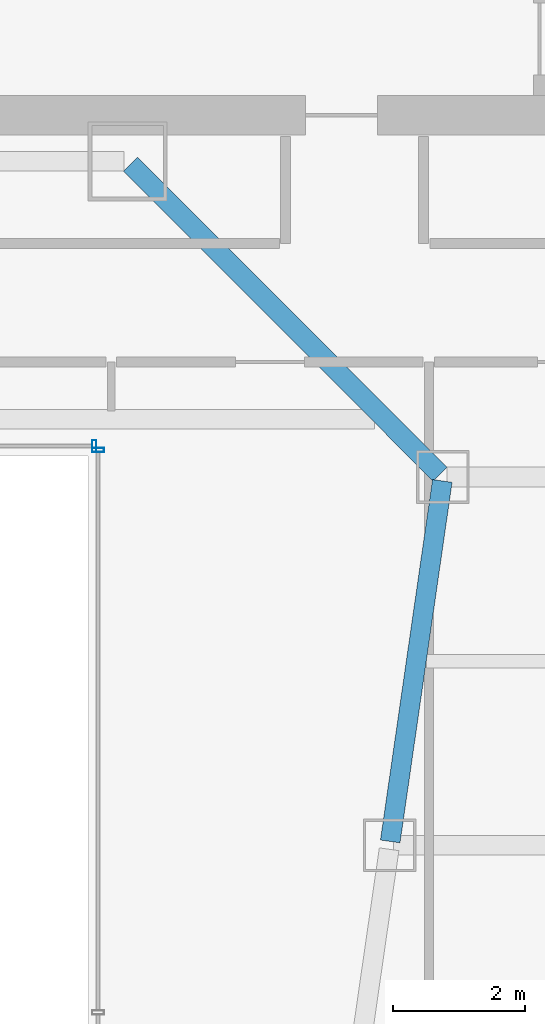
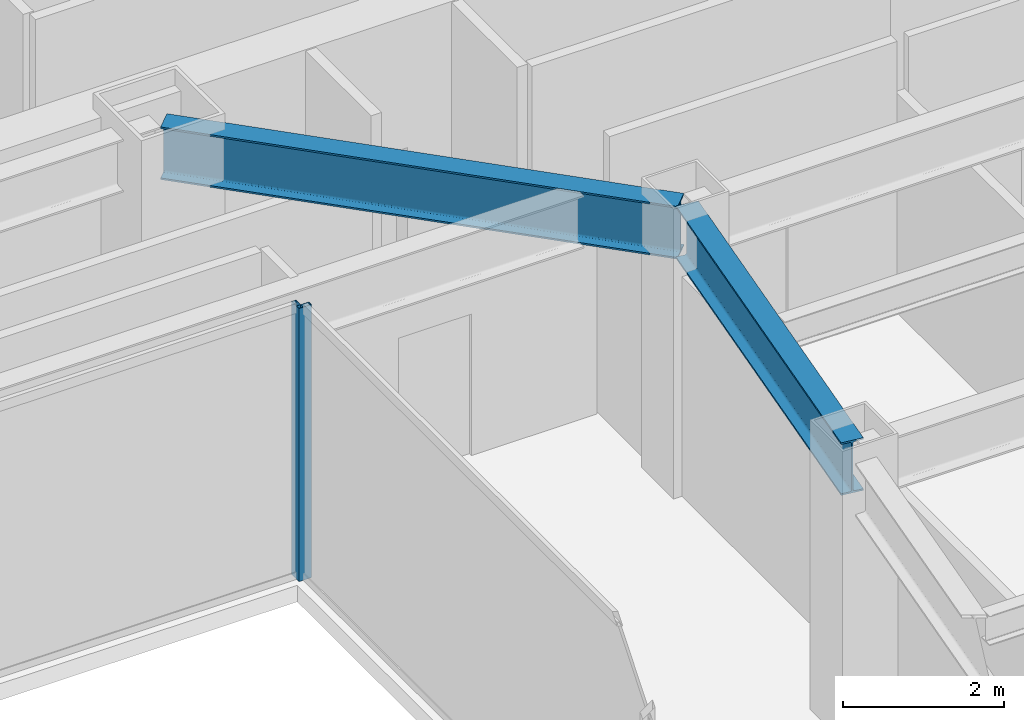
# One storey, part 29 of 47: 2 beams, 2 members, 2 elements without a shape of their own.
"""IFC4 building model written with IfcOpenShell, lengths in metres."""

from ifc_helpers import new_model, si_unit, direction, frame, origin, origin_2d, place, context, subcontext, project, spatial, hollow_rectangle, i_section, extrude, material, material_profile, profile_set, type_object, element, aggregate, save


model = new_model("IFC4")

# Units and contexts
model_context = context("Model", 3, precision=1e-05, world=origin(), true_north=direction((0.0, 1.0)))
body_context = subcontext(model_context, "Body", "Model", "MODEL_VIEW")
ifc_project = project(units=[si_unit("LENGTHUNIT", "METRE"), si_unit("AREAUNIT", "SQUARE_METRE"), si_unit("VOLUMEUNIT", "CUBIC_METRE"), si_unit("PLANEANGLEUNIT", "RADIAN"), si_unit("MASSUNIT", "GRAM", prefix="KILO")], contexts=[model_context])

# Site, building, storey
site_placement = place(None, origin())
site = spatial("IfcSite", under=ifc_project, at=site_placement, CompositionType="ELEMENT")
building_placement = place(site_placement, origin())
building = spatial("IfcBuilding", under=site, at=building_placement, Name="Saevonmaru Cultural Tower", CompositionType="ELEMENT")
storey_placement = place(building_placement, frame((0.0, 0.0, 60.39990234375)))
storey = spatial("IfcBuildingStorey", under=building, at=storey_placement, Name="L12", CompositionType="ELEMENT", Elevation=60.39990234375)

# Beams
ifc_material_1 = material(Name="Steel SM420", Category="steel")
ifc_material_profile_1 = material_profile(ifc_material_1, i_section(OverallWidth=0.300048828125, OverallDepth=0.800048828125, WebThickness=0.013916015625, FlangeThickness=0.02587890625, FilletRadius=0.028076171875, at=origin_2d()), Name="H-800x300x14x26")
ifc_profile_set_1 = profile_set([ifc_material_profile_1], Name="Steel SM420")
beam_type = type_object("IfcBeamType", Name="BM-G-H800", PredefinedType="BEAM", material=ifc_profile_set_1)
beam_1_placement = place(storey_placement, frame((40.3916015625, 32.059326171875, 3.75), z_axis=(0.142964121327, 0.989727871697, 0.0), x_axis=(-0.989727871697, 0.142964121327, 0.0)))
element("IfcBeam", 1, at=beam_1_placement, inside=storey, type_object=beam_type, Name="L12 East Atrium Girder 5", PredefinedType="BEAM", context=body_context, shape_type="SweptSolid", body=[
    extrude(i_section(OverallWidth=0.300048828125, OverallDepth=0.800048828125, WebThickness=0.013916015625, FlangeThickness=0.02587890625, FilletRadius=0.028076171875, at=origin_2d()), origin(), (0.0, 0.0, 1.0), 5.5380859375),
])
beam_2_placement = place(storey_placement, frame((41.149658203125, 37.642578125, 3.75), z_axis=(-0.706538566564, 0.707674539572, 0.0), x_axis=(-0.707674539572, -0.706538566564, 0.0)))
element("IfcBeam", 2, at=beam_2_placement, inside=storey, type_object=beam_type, Name="L12 East Atrium Girder 6", PredefinedType="BEAM", context=body_context, shape_type="SweptSolid", body=[
    extrude(i_section(OverallWidth=0.300048828125, OverallDepth=0.800048828125, WebThickness=0.013916015625, FlangeThickness=0.02587890625, FilletRadius=0.028076171875, at=origin_2d()), origin(), (0.0, 0.0, 1.0), 6.662353515625),
])

# Curtain wall, member
ifc_material_2 = material(Name="Satin Bronze Anodised Aluminium", Category="aluminium")
curtain_wall_type = type_object("IfcCurtainWallType", Name="CW-ATR-GLZ", PredefinedType="NOTDEFINED", material=ifc_material_2)
curtain_wall_1_placement = place(storey_placement, origin())
curtain_wall_1 = element("IfcCurtainWall", 3, at=curtain_wall_1_placement, inside=storey, type_object=curtain_wall_type, Name="L12 Vertical Atrium Glazed Smoke Screen 2", PredefinedType="NOTDEFINED")
ifc_material_profile_2 = material_profile(ifc_material_2, hollow_rectangle(XDim=0.06494140625, YDim=0.179931640625, WallThickness=0.00390625, at=origin_2d()), Name="ALU-MULL-180x65x4")
ifc_profile_set_2 = profile_set([ifc_material_profile_2], Name="Satin Bronze Anodised Aluminium")
member_type = type_object("IfcMemberType", Name="ML-CW-INT-180x65", PredefinedType="MULLION", material=ifc_profile_set_2)
member_1_placement = place(storey_placement, frame((35.949951171875, 38.010009765625, 0.0), z_axis=(0.0, 0.0, 1.0), x_axis=(0.0, 1.0, 0.0)))
member_1 = element("IfcMember", 4, at=member_1_placement, type_object=member_type, Name="CW-ATR-L12-2 mullion 3", PredefinedType="MULLION", context=body_context, shape_type="SweptSolid", body=[
    extrude(hollow_rectangle(XDim=0.06494140625, YDim=0.179931640625, WallThickness=0.00390625, at=origin_2d()), origin(), (0.0, 0.0, 1.0), 4.150146484375),
])
aggregate(curtain_wall_1, [member_1])

curtain_wall_2_placement = place(storey_placement, origin())
curtain_wall_2 = element("IfcCurtainWall", 5, at=curtain_wall_2_placement, inside=storey, type_object=curtain_wall_type, Name="L12 Vertical Atrium Glazed Smoke Screen 3", PredefinedType="NOTDEFINED")
member_2_placement = place(storey_placement, frame((35.889892578125, 38.070068359375, 0.0), z_axis=(0.0, 0.0, 1.0), x_axis=(-1.0, 0.0, 0.0)))
member_2 = element("IfcMember", 6, at=member_2_placement, type_object=member_type, Name="CW-ATR-L12-3 mullion 1", PredefinedType="MULLION", context=body_context, shape_type="SweptSolid", body=[
    extrude(hollow_rectangle(XDim=0.06494140625, YDim=0.179931640625, WallThickness=0.00390625, at=origin_2d()), origin(), (0.0, 0.0, 1.0), 4.150146484375),
])
aggregate(curtain_wall_2, [member_2])

save(model, "model.ifc")
